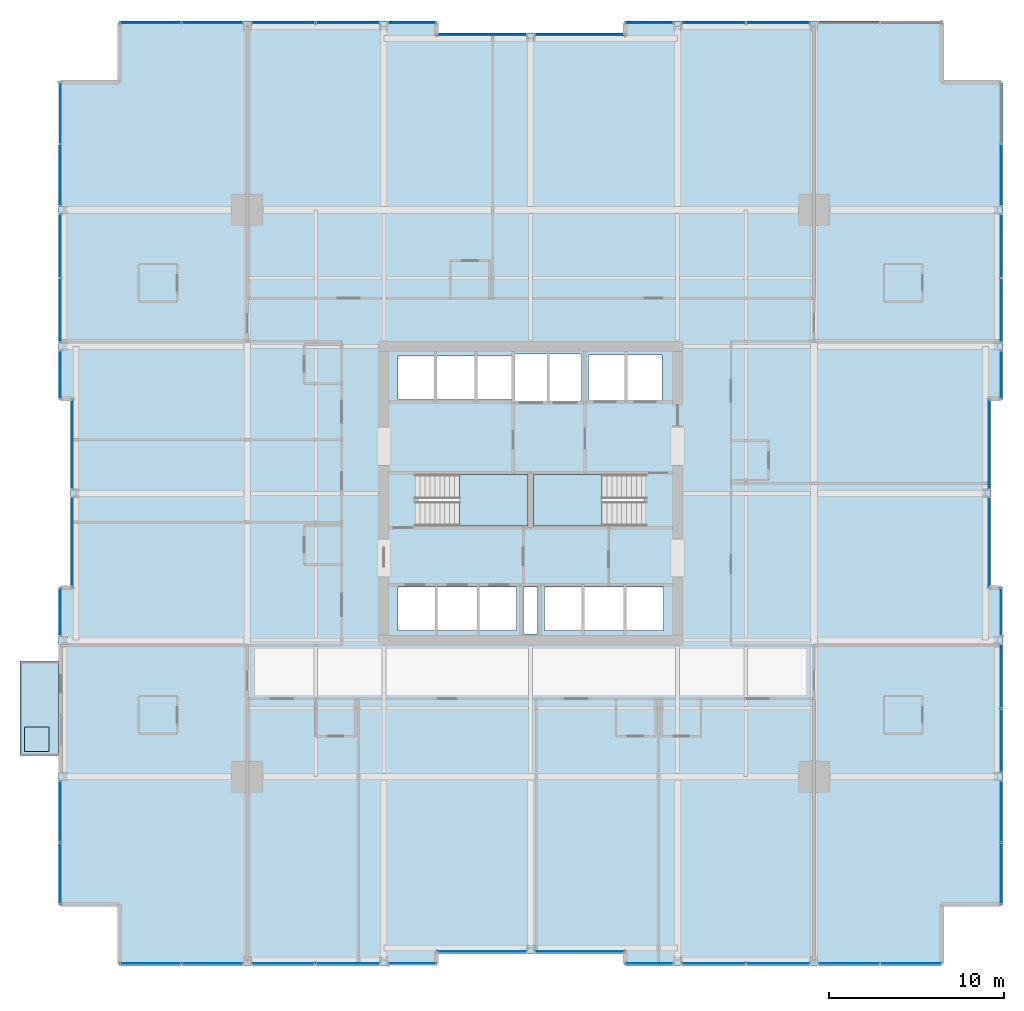
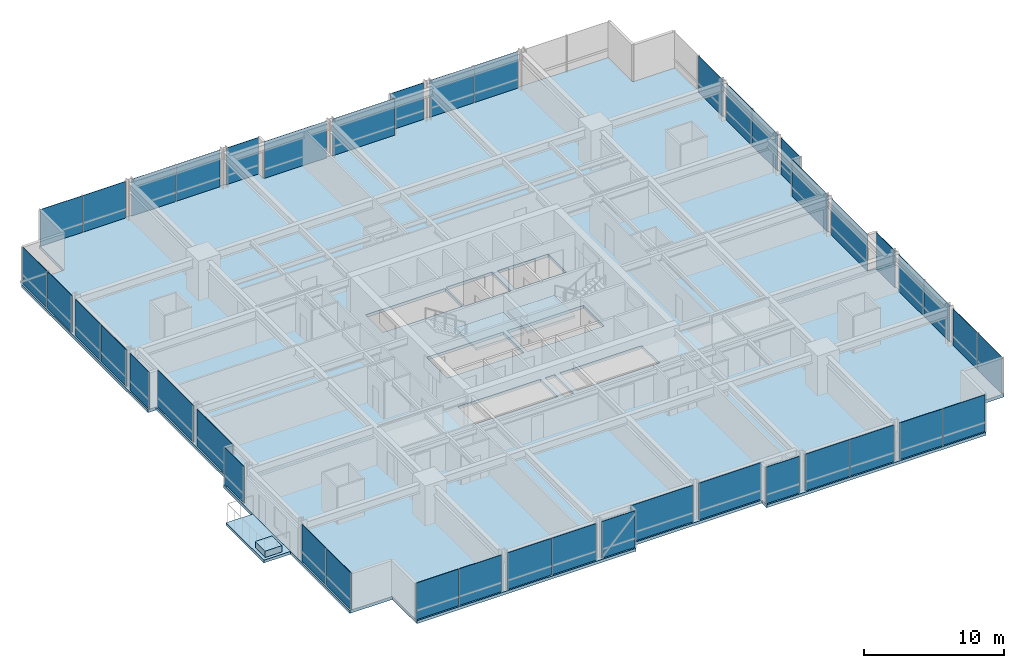
# One storey, part 29 of 37: 43 plates, 5 slabs, 32 elements without a shape of their own.
"""IFC4 building model written with IfcOpenShell, lengths in metres."""

from ifc_helpers import new_model, si_unit, direction, frame, origin, origin_2d, place, context, subcontext, project, spatial, polyline, rectangle, outline, extrude, material, layer, layer_set, type_object, element, aggregate, save


model = new_model("IFC4")

# Units and contexts
model_context = context("Model", 3, precision=1e-05, world=origin(), true_north=direction((0.0, 1.0)))
body_context = subcontext(model_context, "Body", "Model", "MODEL_VIEW")
ifc_project = project(units=[si_unit("LENGTHUNIT", "METRE"), si_unit("AREAUNIT", "SQUARE_METRE"), si_unit("VOLUMEUNIT", "CUBIC_METRE"), si_unit("PLANEANGLEUNIT", "RADIAN"), si_unit("MASSUNIT", "GRAM", prefix="KILO")], contexts=[model_context])

# Site, building, storey
site_placement = place(None, origin())
site = spatial("IfcSite", under=ifc_project, at=site_placement, CompositionType="ELEMENT")
building_placement = place(site_placement, origin())
building = spatial("IfcBuilding", under=site, at=building_placement, Name="Drelvath Grand Hotel", CompositionType="ELEMENT")
storey_placement = place(building_placement, frame((0.0, 0.0, 75.199951171875)))
storey = spatial("IfcBuildingStorey", under=building, at=storey_placement, Name="L18", CompositionType="ELEMENT", Elevation=75.199951171875)

# Slabs
ifc_material_1 = material(Name="Concrete f'c 40 MPa", Category="concrete")
ifc_layer_1 = layer(ifc_material_1, 0.239990234375)
ifc_layer_set_1 = layer_set([ifc_layer_1], Name="Concrete f'c 40 MPa")
slab_type_1 = type_object("IfcSlabType", Name="Cantilevered Tree Balcony Slab 240", PredefinedType="FLOOR", material=ifc_layer_set_1)
slab_1_placement = place(storey_placement, frame((0.0, 0.0, -0.239990234375)))
element("IfcSlab", 1, at=slab_1_placement, inside=storey, type_object=slab_type_1, Name="L18 Cantilevered Tree Balcony Slab 1", PredefinedType="FLOOR", context=body_context, shape_type="SweptSolid", body=[
    extrude(outline(polyline([(-29.199951171875, 12.0), (-27.0, 12.0), (-27.0, 17.39990234375), (-29.199951171875, 17.39990234375), (-29.199951171875, 12.0)])), origin(), (0.0, 0.0, 1.0), 0.239990234375),
])
ifc_layer_2 = layer(ifc_material_1, 0.260009765625)
ifc_layer_set_2 = layer_set([ifc_layer_2], Name="Concrete f'c 40 MPa")
slab_type_2 = type_object("IfcSlabType", Name="Composite RC Floor Slab 260", PredefinedType="FLOOR", material=ifc_layer_set_2)
slab_2_placement = place(storey_placement, frame((0.0, 0.0, -0.260009765625)))
element("IfcSlab", 2, at=slab_2_placement, inside=storey, type_object=slab_type_2, Name="L18 Structural Floor Slab", PredefinedType="FLOOR", context=body_context, shape_type="SweptSolid", body=[
    extrude(outline(polyline([(-23.5, 0.0), (-5.39990234375, 0.0), (-5.39990234375, 0.679931640625), (5.39990234375, 0.679931640625), (5.39990234375, 0.0), (23.5, 0.0), (23.5, 3.5), (27.0, 3.5), (27.0, 21.60009765625), (26.320068359375, 21.60009765625), (26.320068359375, 32.39990234375), (27.0, 32.39990234375), (27.0, 50.5), (23.5, 50.5), (23.5, 54.0), (5.39990234375, 54.0), (5.39990234375, 53.320068359375), (-5.39990234375, 53.320068359375), (-5.39990234375, 54.0), (-23.5, 54.0), (-23.5, 50.5), (-27.0, 50.5), (-27.0, 32.39990234375), (-26.320068359375, 32.39990234375), (-26.320068359375, 21.60009765625), (-27.0, 21.60009765625), (-27.0, 3.5), (-23.5, 3.5), (-23.5, 0.0)]), holes=[polyline([(-6.47998046875, 25.1201171875), (-6.47998046875, 28.080078125), (-0.14990234375, 28.080078125), (-0.14990234375, 25.1201171875), (-6.47998046875, 25.1201171875)]), polyline([(0.14990234375, 25.1201171875), (0.14990234375, 28.080078125), (6.47998046875, 28.080078125), (6.47998046875, 25.1201171875), (0.14990234375, 25.1201171875)]), polyline([(-7.60009765625, 19.14990234375), (-7.60009765625, 21.64990234375), (-0.800048828125, 21.64990234375), (-0.800048828125, 19.14990234375), (-7.60009765625, 19.14990234375)]), polyline([(-0.39990234375, 18.9599609375), (-0.39990234375, 21.639892578125), (0.39990234375, 21.639892578125), (0.39990234375, 18.9599609375), (-0.39990234375, 18.9599609375)]), polyline([(0.800048828125, 19.14990234375), (0.800048828125, 21.64990234375), (7.60009765625, 21.64990234375), (7.60009765625, 19.14990234375), (0.800048828125, 19.14990234375)]), polyline([(-7.60009765625, 32.35009765625), (-7.60009765625, 34.85009765625), (-1.02001953125, 34.85009765625), (-1.02001953125, 32.35009765625), (-7.60009765625, 32.35009765625)]), polyline([(-0.89990234375, 32.25), (-0.89990234375, 34.949951171875), (2.89990234375, 34.949951171875), (2.89990234375, 32.25), (-0.89990234375, 32.25)]), polyline([(3.300048828125, 32.300048828125), (3.300048828125, 34.89990234375), (7.5, 34.89990234375), (7.5, 32.300048828125), (3.300048828125, 32.300048828125)])]), origin(), (0.0, 0.0, 1.0), 0.260009765625),
])

# Stair, slab
ifc_material_2 = material(Name="Concrete C40/50", Category="concrete")
stair_type = type_object("IfcStairType", Name="Dogleg Exit Stair W1400-R175.0", PredefinedType="HALF_TURN_STAIR", material=ifc_material_2)
stair_1_placement = place(storey_placement, origin())
stair_1 = element("IfcStair", 3, at=stair_1_placement, inside=storey, type_object=stair_type, Name="L18 Core Exit Stair ST-1", PredefinedType="HALF_TURN_STAIR")
ifc_layer_3 = layer(ifc_material_2, 0.199951171875)
ifc_layer_set_3 = layer_set([ifc_layer_3], Name="Concrete C40/50")
slab_type_3 = type_object("IfcSlabType", Name="Concrete Stair Landing Slab 200", PredefinedType="LANDING", material=ifc_layer_set_3)
slab_3_placement = place(storey_placement, frame((0.0, 0.0, 1.550048828125)))
slab_3 = element("IfcSlab", 4, at=slab_3_placement, type_object=slab_type_3, Name="ST-1 landing 1", PredefinedType="LANDING", context=body_context, shape_type="SweptSolid", body=[
    extrude(outline(polyline([(-4.080078125, 25.1201171875), (-0.14990234375, 25.1201171875), (-0.14990234375, 28.080078125), (-4.080078125, 28.080078125), (-4.080078125, 25.1201171875)])), origin(), (0.0, 0.0, 1.0), 0.199951171875),
])
aggregate(stair_1, [slab_3])

stair_2_placement = place(storey_placement, origin())
stair_2 = element("IfcStair", 5, at=stair_2_placement, inside=storey, type_object=stair_type, Name="L18 Core Exit Stair ST-2", PredefinedType="HALF_TURN_STAIR")
slab_4_placement = place(storey_placement, frame((0.0, 0.0, 1.550048828125)))
slab_4 = element("IfcSlab", 6, at=slab_4_placement, type_object=slab_type_3, Name="ST-2 landing 1", PredefinedType="LANDING", context=body_context, shape_type="SweptSolid", body=[
    extrude(outline(polyline([(4.080078125, 28.080078125), (0.14990234375, 28.080078125), (0.14990234375, 25.1201171875), (4.080078125, 25.1201171875), (4.080078125, 28.080078125)])), origin(), (0.0, 0.0, 1.0), 0.199951171875),
])
aggregate(stair_2, [slab_4])

# Curtain wall, plates
ifc_material_3 = material(Name="Warm Bronze Anodised Aluminium Frame", Category="aluminium")
ifc_layer_4 = layer(ifc_material_3, 0.199951171875)
ifc_layer_set_4 = layer_set([ifc_layer_4], Name="Warm Bronze Anodised Aluminium Frame")
curtain_wall_type = type_object("IfcCurtainWallType", Name="Stick Curtain Wall CW-02 Warm Bronze Low-Rise", PredefinedType="NOTDEFINED", material=ifc_layer_set_4)
curtain_wall_1_placement = place(storey_placement, origin())
curtain_wall_1 = element("IfcCurtainWall", 7, at=curtain_wall_1_placement, inside=storey, type_object=curtain_wall_type, Name="L18 CW-02 Curtain Wall CW02-L18-WS1", PredefinedType="NOTDEFINED")
ifc_material_4 = material(Name="Low-E Triple Silver Vision Glass Bronze Tint", Category="glass")
ifc_layer_5 = layer(ifc_material_4, 0.035888671875)
ifc_layer_set_5 = layer_set([ifc_layer_5], Name="Low-E Triple Silver Vision Glass Bronze Tint")
plate_type = type_object("IfcPlateType", Name="Curtain Wall Vision Panel CW-02 36mm", PredefinedType="CURTAIN_PANEL", material=ifc_layer_set_5)
plate_1_placement = place(storey_placement, frame((-26.8798828125, 5.267578125, 0.02001953125), z_axis=(0.0, 0.0, 1.0), x_axis=(0.0, 1.0, 0.0)))
plate_1 = element("IfcPlate", 8, at=plate_1_placement, type_object=plate_type, Name="CW02-L18-WS1 Glazed Panel 1", PredefinedType="CURTAIN_PANEL", context=body_context, shape_type="SweptSolid", body=[
    extrude(rectangle(XDim=3.495361328125, YDim=0.035888671875, at=origin_2d()), origin(), (0.0, 0.0, 1.0), 3.199951171875),
])
plate_2_placement = place(storey_placement, frame((-26.8798828125, 8.80322265625, 0.02001953125), z_axis=(0.0, 0.0, 1.0), x_axis=(0.0, 1.0, 0.0)))
plate_2 = element("IfcPlate", 9, at=plate_2_placement, type_object=plate_type, Name="CW02-L18-WS1 Glazed Panel 2", PredefinedType="CURTAIN_PANEL", context=body_context, shape_type="SweptSolid", body=[
    extrude(rectangle(XDim=3.495361328125, YDim=0.035888671875, at=origin_2d()), origin(), (0.0, 0.0, 1.0), 3.199951171875),
])
aggregate(curtain_wall_1, [plate_1, plate_2])

# Curtain wall, plate
curtain_wall_2_placement = place(storey_placement, origin())
curtain_wall_2 = element("IfcCurtainWall", 10, at=curtain_wall_2_placement, inside=storey, type_object=curtain_wall_type, Name="L18 CW-02 Curtain Wall CW02-L18-WS3", PredefinedType="NOTDEFINED")
plate_3_placement = place(storey_placement, frame((-26.8798828125, 20.214599609375, 0.02001953125), z_axis=(0.0, 0.0, 1.0), x_axis=(0.0, 1.0, 0.0)))
plate_3 = element("IfcPlate", 11, at=plate_3_placement, type_object=plate_type, Name="CW02-L18-WS3 Glazed Panel 1", PredefinedType="CURTAIN_PANEL", context=body_context, shape_type="SweptSolid", body=[
    extrude(rectangle(XDim=2.73095703125, YDim=0.035888671875, at=origin_2d()), origin(), (0.0, 0.0, 1.0), 3.199951171875),
])
aggregate(curtain_wall_2, [plate_3])

curtain_wall_3_placement = place(storey_placement, origin())
curtain_wall_3 = element("IfcCurtainWall", 12, at=curtain_wall_3_placement, inside=storey, type_object=curtain_wall_type, Name="L18 CW-02 Curtain Wall CW02-L18-WM1", PredefinedType="NOTDEFINED")
plate_4_placement = place(storey_placement, frame((-26.199951171875, 24.185302734375, 0.02001953125), z_axis=(0.0, 0.0, 1.0), x_axis=(0.0, 1.0, 0.0)))
plate_4 = element("IfcPlate", 13, at=plate_4_placement, type_object=plate_type, Name="CW02-L18-WM1 Glazed Panel 1", PredefinedType="CURTAIN_PANEL", context=body_context, shape_type="SweptSolid", body=[
    extrude(rectangle(XDim=5.130859375, YDim=0.035888671875, at=origin_2d()), origin(), (0.0, 0.0, 1.0), 3.199951171875),
])
aggregate(curtain_wall_3, [plate_4])

curtain_wall_4_placement = place(storey_placement, origin())
curtain_wall_4 = element("IfcCurtainWall", 14, at=curtain_wall_4_placement, inside=storey, type_object=curtain_wall_type, Name="L18 CW-02 Curtain Wall CW02-L18-WM2", PredefinedType="NOTDEFINED")
plate_5_placement = place(storey_placement, frame((-26.199951171875, 29.814697265625, 0.02001953125), z_axis=(0.0, 0.0, 1.0), x_axis=(0.0, 1.0, 0.0)))
plate_5 = element("IfcPlate", 15, at=plate_5_placement, type_object=plate_type, Name="CW02-L18-WM2 Glazed Panel 1", PredefinedType="CURTAIN_PANEL", context=body_context, shape_type="SweptSolid", body=[
    extrude(rectangle(XDim=5.130859375, YDim=0.035888671875, at=origin_2d()), origin(), (0.0, 0.0, 1.0), 3.199951171875),
])
aggregate(curtain_wall_4, [plate_5])

curtain_wall_5_placement = place(storey_placement, origin())
curtain_wall_5 = element("IfcCurtainWall", 16, at=curtain_wall_5_placement, inside=storey, type_object=curtain_wall_type, Name="L18 CW-02 Curtain Wall CW02-L18-WN1", PredefinedType="NOTDEFINED")
plate_6_placement = place(storey_placement, frame((-26.8798828125, 33.785400390625, 0.02001953125), z_axis=(0.0, 0.0, 1.0), x_axis=(0.0, 1.0, 0.0)))
plate_6 = element("IfcPlate", 17, at=plate_6_placement, type_object=plate_type, Name="CW02-L18-WN1 Glazed Panel 1", PredefinedType="CURTAIN_PANEL", context=body_context, shape_type="SweptSolid", body=[
    extrude(rectangle(XDim=2.73095703125, YDim=0.035888671875, at=origin_2d()), origin(), (0.0, 0.0, 1.0), 3.199951171875),
])
aggregate(curtain_wall_5, [plate_6])

# Curtain wall, plates
curtain_wall_6_placement = place(storey_placement, origin())
curtain_wall_6 = element("IfcCurtainWall", 18, at=curtain_wall_6_placement, inside=storey, type_object=curtain_wall_type, Name="L18 CW-02 Curtain Wall CW02-L18-WN2", PredefinedType="NOTDEFINED")
plate_7_placement = place(storey_placement, frame((-26.8798828125, 37.464599609375, 0.02001953125), z_axis=(0.0, 0.0, 1.0), x_axis=(0.0, 1.0, 0.0)))
plate_7 = element("IfcPlate", 19, at=plate_7_placement, type_object=plate_type, Name="CW02-L18-WN2 Glazed Panel 1", PredefinedType="CURTAIN_PANEL", context=body_context, shape_type="SweptSolid", body=[
    extrude(rectangle(XDim=3.630859375, YDim=0.035888671875, at=origin_2d()), origin(), (0.0, 0.0, 1.0), 3.199951171875),
])
plate_8_placement = place(storey_placement, frame((-26.8798828125, 41.135498046875, 0.02001953125), z_axis=(0.0, 0.0, 1.0), x_axis=(0.0, 1.0, 0.0)))
plate_8 = element("IfcPlate", 20, at=plate_8_placement, type_object=plate_type, Name="CW02-L18-WN2 Glazed Panel 2", PredefinedType="CURTAIN_PANEL", context=body_context, shape_type="SweptSolid", body=[
    extrude(rectangle(XDim=3.630859375, YDim=0.035888671875, at=origin_2d()), origin(), (0.0, 0.0, 1.0), 3.199951171875),
])
aggregate(curtain_wall_6, [plate_7, plate_8])

curtain_wall_7_placement = place(storey_placement, origin())
curtain_wall_7 = element("IfcCurtainWall", 21, at=curtain_wall_7_placement, inside=storey, type_object=curtain_wall_type, Name="L18 CW-02 Curtain Wall CW02-L18-WN3", PredefinedType="NOTDEFINED")
plate_9_placement = place(storey_placement, frame((-26.8798828125, 45.19677734375, 0.02001953125), z_axis=(0.0, 0.0, 1.0), x_axis=(0.0, 1.0, 0.0)))
plate_9 = element("IfcPlate", 22, at=plate_9_placement, type_object=plate_type, Name="CW02-L18-WN3 Glazed Panel 1", PredefinedType="CURTAIN_PANEL", context=body_context, shape_type="SweptSolid", body=[
    extrude(rectangle(XDim=3.49560546875, YDim=0.035888671875, at=origin_2d()), origin(), (0.0, 0.0, 1.0), 3.199951171875),
])
plate_10_placement = place(storey_placement, frame((-26.8798828125, 48.732421875, 0.02001953125), z_axis=(0.0, 0.0, 1.0), x_axis=(0.0, 1.0, 0.0)))
plate_10 = element("IfcPlate", 23, at=plate_10_placement, type_object=plate_type, Name="CW02-L18-WN3 Glazed Panel 2", PredefinedType="CURTAIN_PANEL", context=body_context, shape_type="SweptSolid", body=[
    extrude(rectangle(XDim=3.49560546875, YDim=0.035888671875, at=origin_2d()), origin(), (0.0, 0.0, 1.0), 3.199951171875),
])
aggregate(curtain_wall_7, [plate_9, plate_10])

# Curtain wall, plate
curtain_wall_8_placement = place(storey_placement, origin())
curtain_wall_8 = element("IfcCurtainWall", 24, at=curtain_wall_8_placement, inside=storey, type_object=curtain_wall_type, Name="L18 CW-02 Curtain Wall CW02-L18-EN1", PredefinedType="NOTDEFINED")
plate_11_placement = place(storey_placement, frame((26.8798828125, 33.785400390625, 0.02001953125), z_axis=(0.0, 0.0, 1.0), x_axis=(0.0, -1.0, 0.0)))
plate_11 = element("IfcPlate", 25, at=plate_11_placement, type_object=plate_type, Name="CW02-L18-EN1 Glazed Panel 1", PredefinedType="CURTAIN_PANEL", context=body_context, shape_type="SweptSolid", body=[
    extrude(rectangle(XDim=2.73095703125, YDim=0.035888671875, at=origin_2d()), origin(), (0.0, 0.0, 1.0), 3.199951171875),
])
aggregate(curtain_wall_8, [plate_11])

# Curtain wall, plates
curtain_wall_9_placement = place(storey_placement, origin())
curtain_wall_9 = element("IfcCurtainWall", 26, at=curtain_wall_9_placement, inside=storey, type_object=curtain_wall_type, Name="L18 CW-02 Curtain Wall CW02-L18-EN2", PredefinedType="NOTDEFINED")
plate_12_placement = place(storey_placement, frame((26.8798828125, 41.135498046875, 0.02001953125), z_axis=(0.0, 0.0, 1.0), x_axis=(0.0, -1.0, 0.0)))
plate_12 = element("IfcPlate", 27, at=plate_12_placement, type_object=plate_type, Name="CW02-L18-EN2 Glazed Panel 1", PredefinedType="CURTAIN_PANEL", context=body_context, shape_type="SweptSolid", body=[
    extrude(rectangle(XDim=3.630859375, YDim=0.035888671875, at=origin_2d()), origin(), (0.0, 0.0, 1.0), 3.199951171875),
])
plate_13_placement = place(storey_placement, frame((26.8798828125, 37.464599609375, 0.02001953125), z_axis=(0.0, 0.0, 1.0), x_axis=(0.0, -1.0, 0.0)))
plate_13 = element("IfcPlate", 28, at=plate_13_placement, type_object=plate_type, Name="CW02-L18-EN2 Glazed Panel 2", PredefinedType="CURTAIN_PANEL", context=body_context, shape_type="SweptSolid", body=[
    extrude(rectangle(XDim=3.630859375, YDim=0.035888671875, at=origin_2d()), origin(), (0.0, 0.0, 1.0), 3.199951171875),
])
aggregate(curtain_wall_9, [plate_12, plate_13])

# Curtain wall, plate
curtain_wall_10_placement = place(storey_placement, origin())
curtain_wall_10 = element("IfcCurtainWall", 29, at=curtain_wall_10_placement, inside=storey, type_object=curtain_wall_type, Name="L18 CW-02 Curtain Wall CW02-L18-EN3", PredefinedType="NOTDEFINED")
plate_14_placement = place(storey_placement, frame((26.8798828125, 45.19677734375, 0.02001953125), z_axis=(0.0, 0.0, 1.0), x_axis=(0.0, -1.0, 0.0)))
plate_14 = element("IfcPlate", 30, at=plate_14_placement, type_object=plate_type, Name="CW02-L18-EN3 Glazed Panel 2", PredefinedType="CURTAIN_PANEL", context=body_context, shape_type="SweptSolid", body=[
    extrude(rectangle(XDim=3.49560546875, YDim=0.035888671875, at=origin_2d()), origin(), (0.0, 0.0, 1.0), 3.199951171875),
])
aggregate(curtain_wall_10, [plate_14])

curtain_wall_11_placement = place(storey_placement, origin())
curtain_wall_11 = element("IfcCurtainWall", 31, at=curtain_wall_11_placement, inside=storey, type_object=curtain_wall_type, Name="L18 CW-02 Curtain Wall CW02-L18-EM1", PredefinedType="NOTDEFINED")
plate_15_placement = place(storey_placement, frame((26.199951171875, 24.185302734375, 0.02001953125), z_axis=(0.0, 0.0, 1.0), x_axis=(0.0, -1.0, 0.0)))
plate_15 = element("IfcPlate", 32, at=plate_15_placement, type_object=plate_type, Name="CW02-L18-EM1 Glazed Panel 1", PredefinedType="CURTAIN_PANEL", context=body_context, shape_type="SweptSolid", body=[
    extrude(rectangle(XDim=5.130859375, YDim=0.035888671875, at=origin_2d()), origin(), (0.0, 0.0, 1.0), 3.199951171875),
])
aggregate(curtain_wall_11, [plate_15])

curtain_wall_12_placement = place(storey_placement, origin())
curtain_wall_12 = element("IfcCurtainWall", 33, at=curtain_wall_12_placement, inside=storey, type_object=curtain_wall_type, Name="L18 CW-02 Curtain Wall CW02-L18-EM2", PredefinedType="NOTDEFINED")
plate_16_placement = place(storey_placement, frame((26.199951171875, 29.814697265625, 0.02001953125), z_axis=(0.0, 0.0, 1.0), x_axis=(0.0, -1.0, 0.0)))
plate_16 = element("IfcPlate", 34, at=plate_16_placement, type_object=plate_type, Name="CW02-L18-EM2 Glazed Panel 1", PredefinedType="CURTAIN_PANEL", context=body_context, shape_type="SweptSolid", body=[
    extrude(rectangle(XDim=5.130859375, YDim=0.035888671875, at=origin_2d()), origin(), (0.0, 0.0, 1.0), 3.199951171875),
])
aggregate(curtain_wall_12, [plate_16])

# Curtain wall, plates
curtain_wall_13_placement = place(storey_placement, origin())
curtain_wall_13 = element("IfcCurtainWall", 35, at=curtain_wall_13_placement, inside=storey, type_object=curtain_wall_type, Name="L18 CW-02 Curtain Wall CW02-L18-ES1", PredefinedType="NOTDEFINED")
plate_17_placement = place(storey_placement, frame((26.8798828125, 8.80322265625, 0.02001953125), z_axis=(0.0, 0.0, 1.0), x_axis=(0.0, -1.0, 0.0)))
plate_17 = element("IfcPlate", 36, at=plate_17_placement, type_object=plate_type, Name="CW02-L18-ES1 Glazed Panel 1", PredefinedType="CURTAIN_PANEL", context=body_context, shape_type="SweptSolid", body=[
    extrude(rectangle(XDim=3.495361328125, YDim=0.035888671875, at=origin_2d()), origin(), (0.0, 0.0, 1.0), 3.199951171875),
])
plate_18_placement = place(storey_placement, frame((26.8798828125, 5.267578125, 0.02001953125), z_axis=(0.0, 0.0, 1.0), x_axis=(0.0, -1.0, 0.0)))
plate_18 = element("IfcPlate", 37, at=plate_18_placement, type_object=plate_type, Name="CW02-L18-ES1 Glazed Panel 2", PredefinedType="CURTAIN_PANEL", context=body_context, shape_type="SweptSolid", body=[
    extrude(rectangle(XDim=3.495361328125, YDim=0.035888671875, at=origin_2d()), origin(), (0.0, 0.0, 1.0), 3.199951171875),
])
aggregate(curtain_wall_13, [plate_17, plate_18])

curtain_wall_14_placement = place(storey_placement, origin())
curtain_wall_14 = element("IfcCurtainWall", 38, at=curtain_wall_14_placement, inside=storey, type_object=curtain_wall_type, Name="L18 CW-02 Curtain Wall CW02-L18-ES2", PredefinedType="NOTDEFINED")
plate_19_placement = place(storey_placement, frame((26.8798828125, 16.535400390625, 0.02001953125), z_axis=(0.0, 0.0, 1.0), x_axis=(0.0, -1.0, 0.0)))
plate_19 = element("IfcPlate", 39, at=plate_19_placement, type_object=plate_type, Name="CW02-L18-ES2 Glazed Panel 1", PredefinedType="CURTAIN_PANEL", context=body_context, shape_type="SweptSolid", body=[
    extrude(rectangle(XDim=3.630859375, YDim=0.035888671875, at=origin_2d()), origin(), (0.0, 0.0, 1.0), 3.199951171875),
])
plate_20_placement = place(storey_placement, frame((26.8798828125, 12.864501953125, 0.02001953125), z_axis=(0.0, 0.0, 1.0), x_axis=(0.0, -1.0, 0.0)))
plate_20 = element("IfcPlate", 40, at=plate_20_placement, type_object=plate_type, Name="CW02-L18-ES2 Glazed Panel 2", PredefinedType="CURTAIN_PANEL", context=body_context, shape_type="SweptSolid", body=[
    extrude(rectangle(XDim=3.630859375, YDim=0.035888671875, at=origin_2d()), origin(), (0.0, 0.0, 1.0), 3.199951171875),
])
aggregate(curtain_wall_14, [plate_19, plate_20])

# Curtain wall, plate
curtain_wall_15_placement = place(storey_placement, origin())
curtain_wall_15 = element("IfcCurtainWall", 41, at=curtain_wall_15_placement, inside=storey, type_object=curtain_wall_type, Name="L18 CW-02 Curtain Wall CW02-L18-ES3", PredefinedType="NOTDEFINED")
plate_21_placement = place(storey_placement, frame((26.8798828125, 20.214599609375, 0.02001953125), z_axis=(0.0, 0.0, 1.0), x_axis=(0.0, -1.0, 0.0)))
plate_21 = element("IfcPlate", 42, at=plate_21_placement, type_object=plate_type, Name="CW02-L18-ES3 Glazed Panel 1", PredefinedType="CURTAIN_PANEL", context=body_context, shape_type="SweptSolid", body=[
    extrude(rectangle(XDim=2.73095703125, YDim=0.035888671875, at=origin_2d()), origin(), (0.0, 0.0, 1.0), 3.199951171875),
])
aggregate(curtain_wall_15, [plate_21])

# Curtain wall, plates
curtain_wall_16_placement = place(storey_placement, origin())
curtain_wall_16 = element("IfcCurtainWall", 43, at=curtain_wall_16_placement, inside=storey, type_object=curtain_wall_type, Name="L18 CW-02 Curtain Wall CW02-L18-NW1", PredefinedType="NOTDEFINED")
plate_22_placement = place(storey_placement, frame((-21.732421875, 53.8798828125, 0.02001953125), z_axis=(0.0, 0.0, 1.0), x_axis=(1.0, 0.0, 0.0)))
plate_22 = element("IfcPlate", 44, at=plate_22_placement, type_object=plate_type, Name="CW02-L18-NW1 Glazed Panel 1", PredefinedType="CURTAIN_PANEL", context=body_context, shape_type="SweptSolid", body=[
    extrude(rectangle(XDim=3.49560546875, YDim=0.035888671875, at=origin_2d()), origin(), (0.0, 0.0, 1.0), 3.199951171875),
])
plate_23_placement = place(storey_placement, frame((-18.19677734375, 53.8798828125, 0.02001953125), z_axis=(0.0, 0.0, 1.0), x_axis=(1.0, 0.0, 0.0)))
plate_23 = element("IfcPlate", 45, at=plate_23_placement, type_object=plate_type, Name="CW02-L18-NW1 Glazed Panel 2", PredefinedType="CURTAIN_PANEL", context=body_context, shape_type="SweptSolid", body=[
    extrude(rectangle(XDim=3.49560546875, YDim=0.035888671875, at=origin_2d()), origin(), (0.0, 0.0, 1.0), 3.199951171875),
])
aggregate(curtain_wall_16, [plate_22, plate_23])

curtain_wall_17_placement = place(storey_placement, origin())
curtain_wall_17 = element("IfcCurtainWall", 46, at=curtain_wall_17_placement, inside=storey, type_object=curtain_wall_type, Name="L18 CW-02 Curtain Wall CW02-L18-NW2", PredefinedType="NOTDEFINED")
plate_24_placement = place(storey_placement, frame((-14.135498046875, 53.8798828125, 0.02001953125), z_axis=(0.0, 0.0, 1.0), x_axis=(1.0, 0.0, 0.0)))
plate_24 = element("IfcPlate", 47, at=plate_24_placement, type_object=plate_type, Name="CW02-L18-NW2 Glazed Panel 1", PredefinedType="CURTAIN_PANEL", context=body_context, shape_type="SweptSolid", body=[
    extrude(rectangle(XDim=3.630859375, YDim=0.035888671875, at=origin_2d()), origin(), (0.0, 0.0, 1.0), 3.199951171875),
])
plate_25_placement = place(storey_placement, frame((-10.464599609375, 53.8798828125, 0.02001953125), z_axis=(0.0, 0.0, 1.0), x_axis=(1.0, 0.0, 0.0)))
plate_25 = element("IfcPlate", 48, at=plate_25_placement, type_object=plate_type, Name="CW02-L18-NW2 Glazed Panel 2", PredefinedType="CURTAIN_PANEL", context=body_context, shape_type="SweptSolid", body=[
    extrude(rectangle(XDim=3.630859375, YDim=0.035888671875, at=origin_2d()), origin(), (0.0, 0.0, 1.0), 3.199951171875),
])
aggregate(curtain_wall_17, [plate_24, plate_25])

# Curtain wall, plate
curtain_wall_18_placement = place(storey_placement, origin())
curtain_wall_18 = element("IfcCurtainWall", 49, at=curtain_wall_18_placement, inside=storey, type_object=curtain_wall_type, Name="L18 CW-02 Curtain Wall CW02-L18-NW3", PredefinedType="NOTDEFINED")
plate_26_placement = place(storey_placement, frame((-6.785400390625, 53.8798828125, 0.02001953125), z_axis=(0.0, 0.0, 1.0), x_axis=(1.0, 0.0, 0.0)))
plate_26 = element("IfcPlate", 50, at=plate_26_placement, type_object=plate_type, Name="CW02-L18-NW3 Glazed Panel 1", PredefinedType="CURTAIN_PANEL", context=body_context, shape_type="SweptSolid", body=[
    extrude(rectangle(XDim=2.73095703125, YDim=0.035888671875, at=origin_2d()), origin(), (0.0, 0.0, 1.0), 3.199951171875),
])
aggregate(curtain_wall_18, [plate_26])

curtain_wall_19_placement = place(storey_placement, origin())
curtain_wall_19 = element("IfcCurtainWall", 51, at=curtain_wall_19_placement, inside=storey, type_object=curtain_wall_type, Name="L18 CW-02 Curtain Wall CW02-L18-NM1", PredefinedType="NOTDEFINED")
plate_27_placement = place(storey_placement, frame((-2.814697265625, 53.199951171875, 0.02001953125), z_axis=(0.0, 0.0, 1.0), x_axis=(1.0, 0.0, 0.0)))
plate_27 = element("IfcPlate", 52, at=plate_27_placement, type_object=plate_type, Name="CW02-L18-NM1 Glazed Panel 1", PredefinedType="CURTAIN_PANEL", context=body_context, shape_type="SweptSolid", body=[
    extrude(rectangle(XDim=5.130859375, YDim=0.035888671875, at=origin_2d()), origin(), (0.0, 0.0, 1.0), 3.199951171875),
])
aggregate(curtain_wall_19, [plate_27])

curtain_wall_20_placement = place(storey_placement, origin())
curtain_wall_20 = element("IfcCurtainWall", 53, at=curtain_wall_20_placement, inside=storey, type_object=curtain_wall_type, Name="L18 CW-02 Curtain Wall CW02-L18-NM2", PredefinedType="NOTDEFINED")
plate_28_placement = place(storey_placement, frame((2.814697265625, 53.199951171875, 0.02001953125), z_axis=(0.0, 0.0, 1.0), x_axis=(1.0, 0.0, 0.0)))
plate_28 = element("IfcPlate", 54, at=plate_28_placement, type_object=plate_type, Name="CW02-L18-NM2 Glazed Panel 1", PredefinedType="CURTAIN_PANEL", context=body_context, shape_type="SweptSolid", body=[
    extrude(rectangle(XDim=5.130859375, YDim=0.035888671875, at=origin_2d()), origin(), (0.0, 0.0, 1.0), 3.199951171875),
])
aggregate(curtain_wall_20, [plate_28])

curtain_wall_21_placement = place(storey_placement, origin())
curtain_wall_21 = element("IfcCurtainWall", 55, at=curtain_wall_21_placement, inside=storey, type_object=curtain_wall_type, Name="L18 CW-02 Curtain Wall CW02-L18-NE1", PredefinedType="NOTDEFINED")
plate_29_placement = place(storey_placement, frame((6.785400390625, 53.8798828125, 0.02001953125), z_axis=(0.0, 0.0, 1.0), x_axis=(1.0, 0.0, 0.0)))
plate_29 = element("IfcPlate", 56, at=plate_29_placement, type_object=plate_type, Name="CW02-L18-NE1 Glazed Panel 1", PredefinedType="CURTAIN_PANEL", context=body_context, shape_type="SweptSolid", body=[
    extrude(rectangle(XDim=2.73095703125, YDim=0.035888671875, at=origin_2d()), origin(), (0.0, 0.0, 1.0), 3.199951171875),
])
aggregate(curtain_wall_21, [plate_29])

# Curtain wall, plates
curtain_wall_22_placement = place(storey_placement, origin())
curtain_wall_22 = element("IfcCurtainWall", 57, at=curtain_wall_22_placement, inside=storey, type_object=curtain_wall_type, Name="L18 CW-02 Curtain Wall CW02-L18-NE2", PredefinedType="NOTDEFINED")
plate_30_placement = place(storey_placement, frame((10.464599609375, 53.8798828125, 0.02001953125), z_axis=(0.0, 0.0, 1.0), x_axis=(1.0, 0.0, 0.0)))
plate_30 = element("IfcPlate", 58, at=plate_30_placement, type_object=plate_type, Name="CW02-L18-NE2 Glazed Panel 1", PredefinedType="CURTAIN_PANEL", context=body_context, shape_type="SweptSolid", body=[
    extrude(rectangle(XDim=3.630859375, YDim=0.035888671875, at=origin_2d()), origin(), (0.0, 0.0, 1.0), 3.199951171875),
])
plate_31_placement = place(storey_placement, frame((14.135498046875, 53.8798828125, 0.02001953125), z_axis=(0.0, 0.0, 1.0), x_axis=(1.0, 0.0, 0.0)))
plate_31 = element("IfcPlate", 59, at=plate_31_placement, type_object=plate_type, Name="CW02-L18-NE2 Glazed Panel 2", PredefinedType="CURTAIN_PANEL", context=body_context, shape_type="SweptSolid", body=[
    extrude(rectangle(XDim=3.630859375, YDim=0.035888671875, at=origin_2d()), origin(), (0.0, 0.0, 1.0), 3.199951171875),
])
aggregate(curtain_wall_22, [plate_30, plate_31])

# Curtain wall, plate
curtain_wall_23_placement = place(storey_placement, origin())
curtain_wall_23 = element("IfcCurtainWall", 60, at=curtain_wall_23_placement, inside=storey, type_object=curtain_wall_type, Name="L18 CW-02 Curtain Wall CW02-L18-SE1", PredefinedType="NOTDEFINED")
plate_32_placement = place(storey_placement, frame((6.785400390625, 0.1201171875, 0.02001953125), z_axis=(0.0, 0.0, 1.0), x_axis=(-1.0, 0.0, 0.0)))
plate_32 = element("IfcPlate", 61, at=plate_32_placement, type_object=plate_type, Name="CW02-L18-SE1 Glazed Panel 1", PredefinedType="CURTAIN_PANEL", context=body_context, shape_type="SweptSolid", body=[
    extrude(rectangle(XDim=2.73095703125, YDim=0.035888671875, at=origin_2d()), origin(), (0.0, 0.0, 1.0), 3.199951171875),
])
aggregate(curtain_wall_23, [plate_32])

# Curtain wall, plates
curtain_wall_24_placement = place(storey_placement, origin())
curtain_wall_24 = element("IfcCurtainWall", 62, at=curtain_wall_24_placement, inside=storey, type_object=curtain_wall_type, Name="L18 CW-02 Curtain Wall CW02-L18-SE2", PredefinedType="NOTDEFINED")
plate_33_placement = place(storey_placement, frame((14.135498046875, 0.1201171875, 0.02001953125), z_axis=(0.0, 0.0, 1.0), x_axis=(-1.0, 0.0, 0.0)))
plate_33 = element("IfcPlate", 63, at=plate_33_placement, type_object=plate_type, Name="CW02-L18-SE2 Glazed Panel 1", PredefinedType="CURTAIN_PANEL", context=body_context, shape_type="SweptSolid", body=[
    extrude(rectangle(XDim=3.630859375, YDim=0.035888671875, at=origin_2d()), origin(), (0.0, 0.0, 1.0), 3.199951171875),
])
plate_34_placement = place(storey_placement, frame((10.464599609375, 0.1201171875, 0.02001953125), z_axis=(0.0, 0.0, 1.0), x_axis=(-1.0, 0.0, 0.0)))
plate_34 = element("IfcPlate", 64, at=plate_34_placement, type_object=plate_type, Name="CW02-L18-SE2 Glazed Panel 2", PredefinedType="CURTAIN_PANEL", context=body_context, shape_type="SweptSolid", body=[
    extrude(rectangle(XDim=3.630859375, YDim=0.035888671875, at=origin_2d()), origin(), (0.0, 0.0, 1.0), 3.199951171875),
])
aggregate(curtain_wall_24, [plate_33, plate_34])

curtain_wall_25_placement = place(storey_placement, origin())
curtain_wall_25 = element("IfcCurtainWall", 65, at=curtain_wall_25_placement, inside=storey, type_object=curtain_wall_type, Name="L18 CW-02 Curtain Wall CW02-L18-SE3", PredefinedType="NOTDEFINED")
plate_35_placement = place(storey_placement, frame((21.732421875, 0.1201171875, 0.02001953125), z_axis=(0.0, 0.0, 1.0), x_axis=(-1.0, 0.0, 0.0)))
plate_35 = element("IfcPlate", 66, at=plate_35_placement, type_object=plate_type, Name="CW02-L18-SE3 Glazed Panel 1", PredefinedType="CURTAIN_PANEL", context=body_context, shape_type="SweptSolid", body=[
    extrude(rectangle(XDim=3.49560546875, YDim=0.035888671875, at=origin_2d()), origin(), (0.0, 0.0, 1.0), 3.199951171875),
])
plate_36_placement = place(storey_placement, frame((18.19677734375, 0.1201171875, 0.02001953125), z_axis=(0.0, 0.0, 1.0), x_axis=(-1.0, 0.0, 0.0)))
plate_36 = element("IfcPlate", 67, at=plate_36_placement, type_object=plate_type, Name="CW02-L18-SE3 Glazed Panel 2", PredefinedType="CURTAIN_PANEL", context=body_context, shape_type="SweptSolid", body=[
    extrude(rectangle(XDim=3.49560546875, YDim=0.035888671875, at=origin_2d()), origin(), (0.0, 0.0, 1.0), 3.199951171875),
])
aggregate(curtain_wall_25, [plate_35, plate_36])

# Curtain wall, plate
curtain_wall_26_placement = place(storey_placement, origin())
curtain_wall_26 = element("IfcCurtainWall", 68, at=curtain_wall_26_placement, inside=storey, type_object=curtain_wall_type, Name="L18 CW-02 Curtain Wall CW02-L18-SM1", PredefinedType="NOTDEFINED")
plate_37_placement = place(storey_placement, frame((-2.814697265625, 0.800048828125, 0.02001953125), z_axis=(0.0, 0.0, 1.0), x_axis=(-1.0, 0.0, 0.0)))
plate_37 = element("IfcPlate", 69, at=plate_37_placement, type_object=plate_type, Name="CW02-L18-SM1 Glazed Panel 1", PredefinedType="CURTAIN_PANEL", context=body_context, shape_type="SweptSolid", body=[
    extrude(rectangle(XDim=5.130859375, YDim=0.035888671875, at=origin_2d()), origin(), (0.0, 0.0, 1.0), 3.199951171875),
])
aggregate(curtain_wall_26, [plate_37])

curtain_wall_27_placement = place(storey_placement, origin())
curtain_wall_27 = element("IfcCurtainWall", 70, at=curtain_wall_27_placement, inside=storey, type_object=curtain_wall_type, Name="L18 CW-02 Curtain Wall CW02-L18-SM2", PredefinedType="NOTDEFINED")
plate_38_placement = place(storey_placement, frame((2.814697265625, 0.800048828125, 0.02001953125), z_axis=(0.0, 0.0, 1.0), x_axis=(-1.0, 0.0, 0.0)))
plate_38 = element("IfcPlate", 71, at=plate_38_placement, type_object=plate_type, Name="CW02-L18-SM2 Glazed Panel 1", PredefinedType="CURTAIN_PANEL", context=body_context, shape_type="SweptSolid", body=[
    extrude(rectangle(XDim=5.130859375, YDim=0.035888671875, at=origin_2d()), origin(), (0.0, 0.0, 1.0), 3.199951171875),
])
aggregate(curtain_wall_27, [plate_38])

# Curtain wall, plates
curtain_wall_28_placement = place(storey_placement, origin())
curtain_wall_28 = element("IfcCurtainWall", 72, at=curtain_wall_28_placement, inside=storey, type_object=curtain_wall_type, Name="L18 CW-02 Curtain Wall CW02-L18-SW1", PredefinedType="NOTDEFINED")
plate_39_placement = place(storey_placement, frame((-18.19677734375, 0.1201171875, 0.02001953125), z_axis=(0.0, 0.0, 1.0), x_axis=(-1.0, 0.0, 0.0)))
plate_39 = element("IfcPlate", 73, at=plate_39_placement, type_object=plate_type, Name="CW02-L18-SW1 Glazed Panel 1", PredefinedType="CURTAIN_PANEL", context=body_context, shape_type="SweptSolid", body=[
    extrude(rectangle(XDim=3.49560546875, YDim=0.035888671875, at=origin_2d()), origin(), (0.0, 0.0, 1.0), 3.199951171875),
])
plate_40_placement = place(storey_placement, frame((-21.732421875, 0.1201171875, 0.02001953125), z_axis=(0.0, 0.0, 1.0), x_axis=(-1.0, 0.0, 0.0)))
plate_40 = element("IfcPlate", 74, at=plate_40_placement, type_object=plate_type, Name="CW02-L18-SW1 Glazed Panel 2", PredefinedType="CURTAIN_PANEL", context=body_context, shape_type="SweptSolid", body=[
    extrude(rectangle(XDim=3.49560546875, YDim=0.035888671875, at=origin_2d()), origin(), (0.0, 0.0, 1.0), 3.199951171875),
])
aggregate(curtain_wall_28, [plate_39, plate_40])

curtain_wall_29_placement = place(storey_placement, origin())
curtain_wall_29 = element("IfcCurtainWall", 75, at=curtain_wall_29_placement, inside=storey, type_object=curtain_wall_type, Name="L18 CW-02 Curtain Wall CW02-L18-SW2", PredefinedType="NOTDEFINED")
plate_41_placement = place(storey_placement, frame((-10.464599609375, 0.1201171875, 0.02001953125), z_axis=(0.0, 0.0, 1.0), x_axis=(-1.0, 0.0, 0.0)))
plate_41 = element("IfcPlate", 76, at=plate_41_placement, type_object=plate_type, Name="CW02-L18-SW2 Glazed Panel 1", PredefinedType="CURTAIN_PANEL", context=body_context, shape_type="SweptSolid", body=[
    extrude(rectangle(XDim=3.630859375, YDim=0.035888671875, at=origin_2d()), origin(), (0.0, 0.0, 1.0), 3.199951171875),
])
plate_42_placement = place(storey_placement, frame((-14.135498046875, 0.1201171875, 0.02001953125), z_axis=(0.0, 0.0, 1.0), x_axis=(-1.0, 0.0, 0.0)))
plate_42 = element("IfcPlate", 77, at=plate_42_placement, type_object=plate_type, Name="CW02-L18-SW2 Glazed Panel 2", PredefinedType="CURTAIN_PANEL", context=body_context, shape_type="SweptSolid", body=[
    extrude(rectangle(XDim=3.630859375, YDim=0.035888671875, at=origin_2d()), origin(), (0.0, 0.0, 1.0), 3.199951171875),
])
aggregate(curtain_wall_29, [plate_41, plate_42])

# Curtain wall, plate
curtain_wall_30_placement = place(storey_placement, origin())
curtain_wall_30 = element("IfcCurtainWall", 78, at=curtain_wall_30_placement, inside=storey, type_object=curtain_wall_type, Name="L18 CW-02 Curtain Wall CW02-L18-SW3", PredefinedType="NOTDEFINED")
plate_43_placement = place(storey_placement, frame((-6.785400390625, 0.1201171875, 0.02001953125), z_axis=(0.0, 0.0, 1.0), x_axis=(-1.0, 0.0, 0.0)))
plate_43 = element("IfcPlate", 79, at=plate_43_placement, type_object=plate_type, Name="CW02-L18-SW3 Glazed Panel 1", PredefinedType="CURTAIN_PANEL", context=body_context, shape_type="SweptSolid", body=[
    extrude(rectangle(XDim=2.73095703125, YDim=0.035888671875, at=origin_2d()), origin(), (0.0, 0.0, 1.0), 3.199951171875),
])
aggregate(curtain_wall_30, [plate_43])

# Slab
ifc_layer_6 = layer(ifc_material_1, 0.550048828125)
ifc_layer_set_6 = layer_set([ifc_layer_6], Name="Concrete f'c 40 MPa")
slab_type_4 = type_object("IfcSlabType", Name="Structural Tree Planter Box 550", PredefinedType="USERDEFINED", material=ifc_layer_set_6)
slab_5_placement = place(storey_placement, origin())
element("IfcSlab", 80, at=slab_5_placement, inside=storey, type_object=slab_type_4, Name="L18 Tree Balcony Structural Planter 1", ObjectType="PLANTER", PredefinedType="USERDEFINED", context=body_context, shape_type="SweptSolid", body=[
    extrude(outline(polyline([(-28.949951171875, 12.25), (-27.550048828125, 12.25), (-27.550048828125, 13.64990234375), (-28.949951171875, 13.64990234375), (-28.949951171875, 12.25)])), origin(), (0.0, 0.0, 1.0), 0.550048828125),
])

save(model, "model.ifc")
